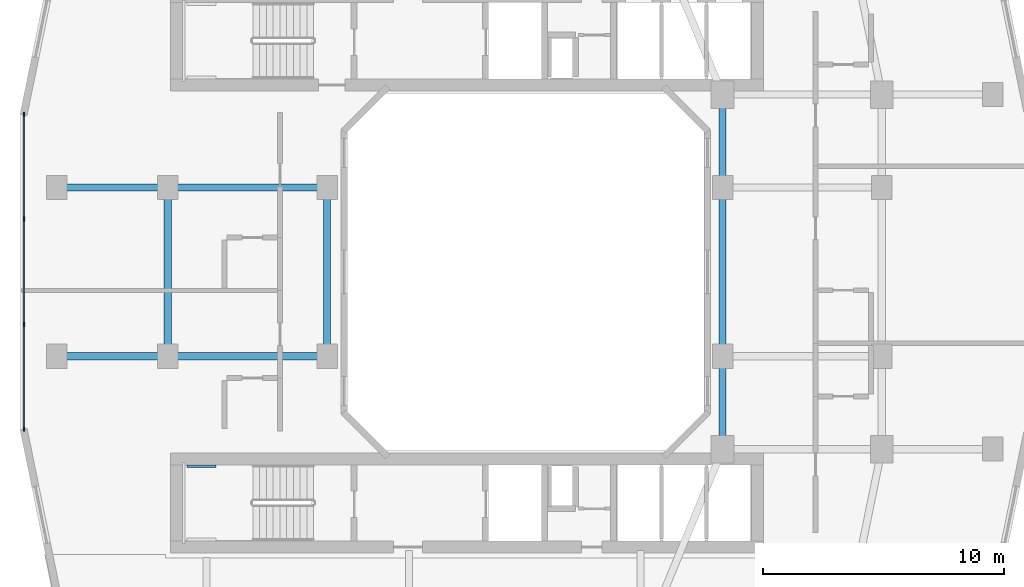
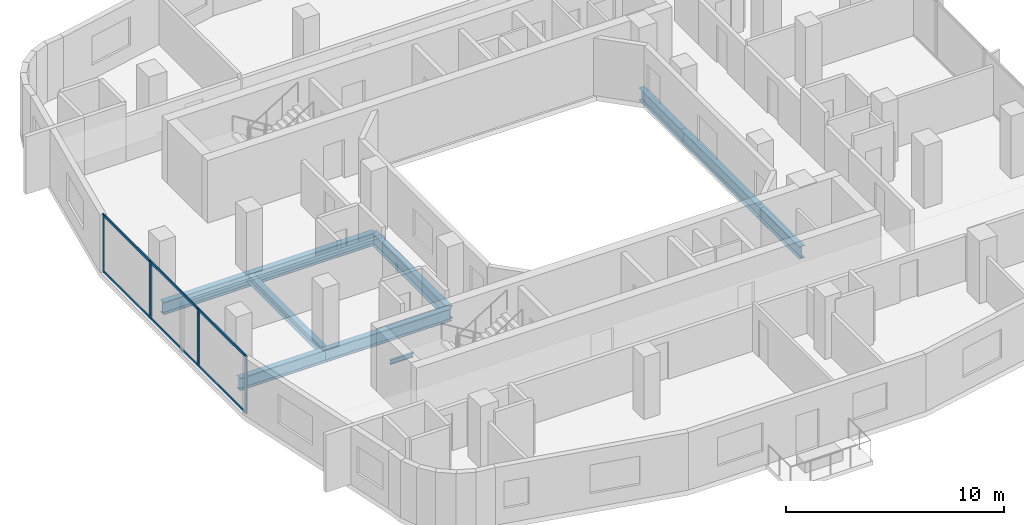
# One storey, part 2 of 24: 10 beams, 10 members, 1 element without a shape of its own.
"""IFC4 building model written with IfcOpenShell, lengths in metres."""

import ifcopenshell
import ifcopenshell.guid

model = None  # the IFC model being written
_history = None  # IfcOwnerHistory: only IFC2X3 demands one
_inside = {}  # id of a spatial element -> (the spatial element, [elements in it])
_under = {}  # id of a project, library or spatial element -> (it, [spatial elements below it])
_declared = {}  # id of a project -> (the project, [libraries it declares])
_typed = {}  # id of a type object -> (the type object, [elements of that type])
_made_of = {}  # id of a material, layer set ... -> (it, [elements and type objects made of it])


def new_model(schema):
    """Start an empty IFC model of exactly this schema.

    Asked for "IFC4X3", IfcOpenShell would pick the latest addendum, in which some entities
    have other attributes; the version numbers below select the first issue.
    IFC2X3 requires an IfcOwnerHistory on every rooted entity: one is made here for all.
    """
    global model, _history
    if schema == "IFC4X3":
        model = ifcopenshell.file(schema_version=(4, 3, 0, 0))
    else:
        model = ifcopenshell.file(schema=schema)
    _inside.clear()
    _under.clear()
    _declared.clear()
    _typed.clear()
    _made_of.clear()
    _history = None
    if model.schema == "IFC2X3":
        org = make("IfcOrganization", Name="unknown")
        user = make(
            "IfcPersonAndOrganization",
            ThePerson=make("IfcPerson", FamilyName="unknown"),
            TheOrganization=org,
        )
        app = make(
            "IfcApplication",
            ApplicationDeveloper=org,
            Version="unknown",
            ApplicationFullName="unknown",
            ApplicationIdentifier="unknown",
        )
        _history = make(
            "IfcOwnerHistory",
            OwningUser=user,
            OwningApplication=app,
            ChangeAction="ADDED",
            CreationDate=0,
        )
    return model


def make(cls, **values):
    """One entity of the class cls with the attributes given. An attribute that is None is left unset."""
    return model.create_entity(
        cls, **{name: value for name, value in values.items() if value is not None}
    )


def rooted(cls, **values):
    """An entity with a GlobalId (a new one), such as an element, a storey or a relation."""
    return make(cls, GlobalId=ifcopenshell.guid.new(), OwnerHistory=_history, **values)


def si_unit(unit_type, name, prefix=None):
    """IfcSIUnit, for example si_unit("LENGTHUNIT", "METRE", prefix="MILLI")."""
    return make("IfcSIUnit", UnitType=unit_type, Prefix=prefix, Name=name)


def derived_unit(unit_type, elements):
    """IfcDerivedUnit: a product of units, each with its exponent."""
    return make(
        "IfcDerivedUnit",
        Elements=[
            make("IfcDerivedUnitElement", Unit=unit, Exponent=power)
            for unit, power in elements
        ],
        UnitType=unit_type,
    )


def assignment(units):
    """IfcUnitAssignment: the units of a project."""
    return None if units is None else make("IfcUnitAssignment", Units=units)


def point(xyz):
    """IfcCartesianPoint."""
    return None if xyz is None else make("IfcCartesianPoint", Coordinates=xyz)


def direction(xyz):
    """IfcDirection."""
    return None if xyz is None else make("IfcDirection", DirectionRatios=xyz)


def frame(location, z_axis=None, x_axis=None):
    """IfcAxis2Placement3D, a coordinate frame: its origin and axes. An axis left out is left unset."""
    return make(
        "IfcAxis2Placement3D",
        Location=point(location),
        Axis=direction(z_axis),
        RefDirection=direction(x_axis),
    )


def frame_2d(location, x_axis=None):
    """IfcAxis2Placement2D, a coordinate frame in the plane: its origin and x axis."""
    return make(
        "IfcAxis2Placement2D", Location=point(location), RefDirection=direction(x_axis)
    )


def origin():
    """The frame at (0, 0, 0) with its axes left unset."""
    return frame((0.0, 0.0, 0.0))


def origin_2d():
    """The frame at (0, 0) in the plane with its x axis left unset."""
    return frame_2d((0.0, 0.0))


def place(relative_to, where):
    """IfcLocalPlacement: puts the frame where relative to a parent placement (None: the world)."""
    return make(
        "IfcLocalPlacement", PlacementRelTo=relative_to, RelativePlacement=where
    )


def context(
    kind, dimensions, precision=None, world=None, true_north=None, identifier=None
):
    """IfcGeometricRepresentationContext, for example the 3D "Model" context."""
    return make(
        "IfcGeometricRepresentationContext",
        ContextIdentifier=identifier,
        ContextType=kind,
        CoordinateSpaceDimension=dimensions,
        Precision=precision,
        WorldCoordinateSystem=world,
        TrueNorth=true_north,
    )


def subcontext(parent, identifier, kind, view, scale=None):
    """IfcGeometricRepresentationSubContext, for example "Body" below "Model"."""
    return make(
        "IfcGeometricRepresentationSubContext",
        ContextIdentifier=identifier,
        ContextType=kind,
        ParentContext=parent,
        TargetScale=scale,
        TargetView=view,
    )


def project(units=None, contexts=None):
    """IfcProject with its units and contexts."""
    return rooted(
        "IfcProject",
        Name="project",
        RepresentationContexts=contexts,
        UnitsInContext=assignment(units),
    )


def spatial(cls, under=None, at=None, **own):
    """A site, building, storey or space (cls), placed at a placement, below another one or the project."""
    s = rooted(cls, ObjectPlacement=at, **own)
    if under is not None:
        _under.setdefault(under.id(), (under, []))[1].append(s)
    return s


def profile(cls, at=None, kind="AREA", **sizes):
    """A parametric profile (cls). Its sizes go by their IFC names, for example OverallWidth=200.0."""
    return make(cls, ProfileType=kind, Position=at, **sizes)


def rectangle(**sizes):
    """IfcRectangleProfileDef."""
    return profile("IfcRectangleProfileDef", **sizes)


def i_section(**sizes):
    """IfcIShapeProfileDef."""
    return profile("IfcIShapeProfileDef", **sizes)


def extrude(swept, where, along, depth):
    """IfcExtrudedAreaSolid: the profile swept, set in the frame where, extruded along a direction by depth."""
    return make(
        "IfcExtrudedAreaSolid",
        SweptArea=swept,
        Position=where,
        ExtrudedDirection=direction(along),
        Depth=depth,
    )


def shape(context_of_items, identifier, shape_type, items):
    """IfcShapeRepresentation: the items that make up one representation, for example the "Body"."""
    return make(
        "IfcShapeRepresentation",
        ContextOfItems=context_of_items,
        RepresentationIdentifier=identifier,
        RepresentationType=shape_type,
        Items=items,
    )


def material(Name=None, Category=None):
    """IfcMaterial."""
    return make("IfcMaterial", Name=Name, Category=Category)


def layer(
    of_material, thickness, ventilated=None, Name=None, Category=None, Priority=None
):
    """IfcMaterialLayer: one layer of a wall or slab, of a material (None: an air gap)."""
    return make(
        "IfcMaterialLayer",
        Material=of_material,
        LayerThickness=thickness,
        IsVentilated=ventilated,
        Name=Name,
        Category=Category,
        Priority=Priority,
    )


def layer_set(layers, Name=None):
    """IfcMaterialLayerSet."""
    return make("IfcMaterialLayerSet", MaterialLayers=layers, LayerSetName=Name)


def material_profile(
    of_material, cross_section, Name=None, Category=None, Priority=None
):
    """IfcMaterialProfile: a cross section and its material."""
    return make(
        "IfcMaterialProfile",
        Name=Name,
        Material=of_material,
        Profile=cross_section,
        Priority=Priority,
        Category=Category,
    )


def profile_set(profiles, Name=None, composite=None):
    """IfcMaterialProfileSet."""
    return make(
        "IfcMaterialProfileSet",
        Name=Name,
        MaterialProfiles=profiles,
        CompositeProfile=composite,
    )


def made_of(thing, what):
    """Note that an element or type object is made of a material, layer set ...; save() writes the relation."""
    if what is not None:
        _made_of.setdefault(what.id(), (what, []))[1].append(thing)
    return thing


def type_object(cls, material=None, **own):
    """A type object (cls), such as IfcWallType, which elements share."""
    return made_of(rooted(cls, **own), material)


def element(
    cls,
    number,
    at=None,
    inside=None,
    cuts=None,
    type_object=None,
    material=None,
    context=None,
    identifier="Body",
    shape_type=None,
    held_by="IfcProductDefinitionShape",
    body=None,
    shapes=None,
    **own,
):
    """One element of the class cls, such as IfcWall. Its Tag is "e" and its number.

    at: its placement. inside: the storey or other place that contains it. cuts: it is an
    opening in that element (IfcRelVoidsElement). A single representation is given by context,
    identifier, shape_type and body (its items); several are given by shapes. held_by: the class
    of the entity that holds the representations. save() writes the other relations.
    """
    e = rooted(cls, Tag="e%d" % number, ObjectPlacement=at, **own)
    if body is not None:
        shapes = [shape(context, identifier, shape_type, body)]
    if shapes is not None:
        e.Representation = make(held_by, Representations=shapes)
    if inside is not None:
        _inside.setdefault(inside.id(), (inside, []))[1].append(e)
    if cuts is not None:
        rooted(
            "IfcRelVoidsElement", RelatingBuildingElement=cuts, RelatedOpeningElement=e
        )
    if type_object is not None:
        _typed.setdefault(type_object.id(), (type_object, []))[1].append(e)
    return made_of(e, material)


def aggregate(whole, parts):
    """IfcRelAggregates: a whole, such as a stair, and the parts it consists of."""
    return rooted("IfcRelAggregates", RelatingObject=whole, RelatedObjects=parts)


def save(model, path):
    """Write the relations noted so far, then the file.

    IfcRelAggregates (storeys below a building ...), IfcRelContainedInSpatialStructure (elements
    in a storey), IfcRelDefinesByType, IfcRelAssociatesMaterial and IfcRelDeclares: one each for
    every whole, place, type object, material and project.
    """
    for whole, parts in _under.values():
        aggregate(whole, parts)
    for where, things in _inside.values():
        rooted(
            "IfcRelContainedInSpatialStructure",
            RelatedElements=things,
            RelatingStructure=where,
        )
    for kind, things in _typed.values():
        rooted("IfcRelDefinesByType", RelatedObjects=things, RelatingType=kind)
    for what, things in _made_of.values():
        rooted("IfcRelAssociatesMaterial", RelatedObjects=things, RelatingMaterial=what)
    for by, libraries in _declared.values():
        rooted("IfcRelDeclares", RelatingContext=by, RelatedDefinitions=libraries)
    model.write(path)


model = new_model("IFC4")

# Units and contexts
model_context = context("Model", 3, precision=1e-05, world=origin(), true_north=direction((0.0, 1.0)))
body_context = subcontext(model_context, "Body", "Model", "MODEL_VIEW")
ifc_project = project(units=[si_unit("LENGTHUNIT", "METRE"), si_unit("AREAUNIT", "SQUARE_METRE"), si_unit("VOLUMEUNIT", "CUBIC_METRE"), si_unit("PLANEANGLEUNIT", "RADIAN"), si_unit("MASSUNIT", "GRAM", prefix="KILO"), derived_unit("THERMALTRANSMITTANCEUNIT", [(si_unit("POWERUNIT", "WATT"), 1), (si_unit("LENGTHUNIT", "METRE"), -2), (si_unit("THERMODYNAMICTEMPERATUREUNIT", "KELVIN"), -1)])], contexts=[model_context])

# Site, building, storey
site_placement = place(None, origin())
site = spatial("IfcSite", under=ifc_project, at=site_placement, CompositionType="ELEMENT")
building_placement = place(site_placement, origin())
building = spatial("IfcBuilding", under=site, at=building_placement, Name="Kivonza Crest Hotel", CompositionType="ELEMENT")
storey_placement = place(building_placement, frame((0.0, 0.0, 80.0)))
storey = spatial("IfcBuildingStorey", under=building, at=storey_placement, Name="L21", CompositionType="ELEMENT", Elevation=80.0)

# Beams
ifc_material_1 = material(Name="Steel S355", Category="steel")
ifc_material_profile_1 = material_profile(ifc_material_1, i_section(OverallWidth=0.300048828125, OverallDepth=0.449951171875, WebThickness=0.013916015625, FlangeThickness=0.02587890625, FilletRadius=0.027099609375, at=origin_2d()), Name="HEB 450")
ifc_profile_set_1 = profile_set([ifc_material_profile_1], Name="Steel S355")
beam_type_1 = type_object("IfcBeamType", Name="BM-HEB450", PredefinedType="SPANDREL", material=ifc_profile_set_1)
beam_1_placement = place(storey_placement, frame((6.199951171875, 28.5, -0.5048828125), z_axis=(0.0, -1.0, 0.0), x_axis=(1.0, 0.0, 0.0)))
element("IfcBeam", 1, at=beam_1_placement, inside=storey, type_object=beam_type_1, Name="Tower T1 L21 perimeter spandrel W2-W1", PredefinedType="SPANDREL", context=body_context, shape_type="SweptSolid", body=[
    extrude(i_section(OverallWidth=0.300048828125, OverallDepth=0.449951171875, WebThickness=0.013916015625, FlangeThickness=0.02587890625, FilletRadius=0.027099609375, at=origin_2d()), origin(), (0.0, 0.0, 1.0), 7.0),
])
ifc_material_profile_2 = material_profile(ifc_material_1, i_section(OverallWidth=0.300048828125, OverallDepth=0.699951171875, WebThickness=0.01708984375, FlangeThickness=0.031982421875, FilletRadius=0.027099609375, at=origin_2d()), Name="HEB 700")
ifc_profile_set_2 = profile_set([ifc_material_profile_2], Name="Steel S355")
beam_type_2 = type_object("IfcBeamType", Name="BM-HEB700", PredefinedType="BEAM", material=ifc_profile_set_2)
for number, where, z_axis, x_axis, name in (
    (2, (6.199951171875, 21.5, -0.6298828125), (1.0, 0.0, 0.0), (0.0, 1.0, 0.0), "Tower T1 L21 primary girder W1-WL1"),
    (3, (6.199951171875, 28.5, -0.6298828125), (1.0, 0.0, 0.0), (0.0, 1.0, 0.0), "Tower T1 L21 primary girder W2-WL2"),
):
    element("IfcBeam", number, at=place(storey_placement, frame(where, z_axis=z_axis, x_axis=x_axis)), inside=storey, type_object=beam_type_2, Name=name, PredefinedType="BEAM", context=body_context, shape_type="SweptSolid", body=[
        extrude(i_section(OverallWidth=0.300048828125, OverallDepth=0.699951171875, WebThickness=0.01708984375, FlangeThickness=0.031982421875, FilletRadius=0.027099609375, at=origin_2d()), origin(), (0.0, 0.0, 1.0), 6.60009765625),
    ])
for number, where, z_axis, x_axis, name in (
    (4, (12.800048828125, 21.5, -0.6298828125), (0.0, 1.0, 0.0), (-1.0, 0.0, 0.0), "Tower T1 L21 primary girder WL1-WL2"),
    (5, (29.199951171875, 21.5, -0.6298828125), (0.0, 1.0, 0.0), (-1.0, 0.0, 0.0), "Tower T1 L21 primary girder WR1-WR2"),
):
    element("IfcBeam", number, at=place(storey_placement, frame(where, z_axis=z_axis, x_axis=x_axis)), inside=storey, type_object=beam_type_2, Name=name, PredefinedType="BEAM", context=body_context, shape_type="SweptSolid", body=[
        extrude(i_section(OverallWidth=0.300048828125, OverallDepth=0.699951171875, WebThickness=0.01708984375, FlangeThickness=0.031982421875, FilletRadius=0.027099609375, at=origin_2d()), origin(), (0.0, 0.0, 1.0), 7.0),
    ])
for number, where, z_axis, x_axis, name in (
    (6, (29.199951171875, 17.64990234375, -0.6298828125), (0.0, 1.0, 0.0), (-1.0, 0.0, 0.0), "Tower T1 L21 primary girder TSE-WR1"),
    (7, (29.199951171875, 28.5, -0.6298828125), (0.0, 1.0, 0.0), (-1.0, 0.0, 0.0), "Tower T1 L21 primary girder WR2-TNE"),
):
    element("IfcBeam", number, at=place(storey_placement, frame(where, z_axis=z_axis, x_axis=x_axis)), inside=storey, type_object=beam_type_2, Name=name, PredefinedType="BEAM", context=body_context, shape_type="SweptSolid", body=[
        extrude(i_section(OverallWidth=0.300048828125, OverallDepth=0.699951171875, WebThickness=0.01708984375, FlangeThickness=0.031982421875, FilletRadius=0.027099609375, at=origin_2d()), origin(), (0.0, 0.0, 1.0), 3.85009765625),
    ])
for number, where, z_axis, x_axis, name in (
    (8, (1.60009765625, 21.5, -0.6298828125), (1.0, 0.0, 0.0), (0.0, 1.0, 0.0), "Tower T1 L21 outer bay girder ZW1"),
    (9, (1.60009765625, 28.5, -0.6298828125), (1.0, 0.0, 0.0), (0.0, 1.0, 0.0), "Tower T1 L21 outer bay girder ZW2"),
):
    element("IfcBeam", number, at=place(storey_placement, frame(where, z_axis=z_axis, x_axis=x_axis)), inside=storey, type_object=beam_type_2, Name=name, PredefinedType="BEAM", context=body_context, shape_type="SweptSolid", body=[
        extrude(i_section(OverallWidth=0.300048828125, OverallDepth=0.699951171875, WebThickness=0.01708984375, FlangeThickness=0.031982421875, FilletRadius=0.027099609375, at=origin_2d()), origin(), (0.0, 0.0, 1.0), 4.599853515625),
    ])
ifc_material_profile_3 = material_profile(ifc_material_1, i_section(OverallWidth=0.1201171875, OverallDepth=0.239990234375, WebThickness=0.006103515625, FlangeThickness=0.009765625, FilletRadius=0.014892578125, at=origin_2d()), Name="IPE 240")
ifc_profile_set_3 = profile_set([ifc_material_profile_3], Name="Steel S355")
beam_type_3 = type_object("IfcBeamType", Name="BM-LLDG-240", PredefinedType="BEAM", material=ifc_profile_set_3)
beam_2_placement = place(storey_placement, frame((6.989990234375, 16.93994140625, 1.429931640625), z_axis=(1.0, 0.0, 0.0), x_axis=(0.0, 1.0, 0.0)))
element("IfcBeam", 10, at=beam_2_placement, inside=storey, type_object=beam_type_3, Name="Stair ST-T1-S L21 North landing corbel", PredefinedType="BEAM", context=body_context, shape_type="SweptSolid", body=[
    extrude(i_section(OverallWidth=0.1201171875, OverallDepth=0.239990234375, WebThickness=0.006103515625, FlangeThickness=0.009765625, FilletRadius=0.014892578125, at=origin_2d()), origin(), (0.0, 0.0, 1.0), 1.2099609375),
])

# Curtain wall, members
ifc_material_2 = material(Name="Anodised bronze aluminium and low-E double glazing", Category="aluminium")
ifc_layer = layer(ifc_material_2, 0.179931640625)
ifc_layer_set = layer_set([ifc_layer], Name="Anodised bronze aluminium and low-E double glazing")
curtain_wall_type = type_object("IfcCurtainWallType", Name="CW-SYS-2", PredefinedType="NOTDEFINED", material=ifc_layer_set)
curtain_wall_placement = place(storey_placement, origin())
curtain_wall = element("IfcCurtainWall", 11, at=curtain_wall_placement, inside=storey, type_object=curtain_wall_type, Name="L21 unitised curtain wall CW-T1-L21-35", PredefinedType="NOTDEFINED")
ifc_material_3 = material(Name="Anodised bronze aluminium", Category="aluminium")
ifc_material_profile_4 = material_profile(ifc_material_3, rectangle(XDim=0.06494140625, YDim=0.179931640625, at=origin_2d()), Name="CW-M 65x180")
ifc_profile_set_4 = profile_set([ifc_material_profile_4], Name="Anodised bronze aluminium")
member_type_1 = type_object("IfcMemberType", Name="CW-MUL-65x180", PredefinedType="MULLION", material=ifc_profile_set_4)
member_1_placement = place(storey_placement, frame((0.239990234375, 31.527587890625, 0.0), z_axis=(0.0, 0.0, 1.0), x_axis=(1.0, 0.0, 0.0)))
member_1 = element("IfcMember", 12, at=member_1_placement, type_object=member_type_1, Name="CW-2 mullion 1", PredefinedType="MULLION", context=body_context, shape_type="SweptSolid", body=[
    extrude(rectangle(XDim=0.06494140625, YDim=0.179931640625, at=origin_2d()), origin(), (0.0, 0.0, 1.0), 3.219970703125),
])
member_2_placement = place(storey_placement, frame((0.239990234375, 27.186767578125, 0.0), z_axis=(0.0, 0.0, 1.0), x_axis=(1.0, 0.0, 0.0)))
member_2 = element("IfcMember", 13, at=member_2_placement, type_object=member_type_1, Name="CW-2 mullion 2", PredefinedType="MULLION", context=body_context, shape_type="SweptSolid", body=[
    extrude(rectangle(XDim=0.06494140625, YDim=0.179931640625, at=origin_2d()), origin(), (0.0, 0.0, 1.0), 3.219970703125),
])
member_3_placement = place(storey_placement, frame((0.239990234375, 22.813232421875, 0.0), z_axis=(0.0, 0.0, 1.0), x_axis=(1.0, 0.0, 0.0)))
member_3 = element("IfcMember", 14, at=member_3_placement, type_object=member_type_1, Name="CW-2 mullion 3", PredefinedType="MULLION", context=body_context, shape_type="SweptSolid", body=[
    extrude(rectangle(XDim=0.06494140625, YDim=0.179931640625, at=origin_2d()), origin(), (0.0, 0.0, 1.0), 3.219970703125),
])
member_4_placement = place(storey_placement, frame((0.239990234375, 18.472412109375, 0.0), z_axis=(0.0, 0.0, 1.0), x_axis=(1.0, 0.0, 0.0)))
member_4 = element("IfcMember", 15, at=member_4_placement, type_object=member_type_1, Name="CW-2 mullion 4", PredefinedType="MULLION", context=body_context, shape_type="SweptSolid", body=[
    extrude(rectangle(XDim=0.06494140625, YDim=0.179931640625, at=origin_2d()), origin(), (0.0, 0.0, 1.0), 3.219970703125),
])
ifc_material_profile_5 = material_profile(ifc_material_3, rectangle(XDim=0.06494140625, YDim=0.139892578125, at=origin_2d()), Name="CW-T 65x140")
ifc_profile_set_5 = profile_set([ifc_material_profile_5], Name="Anodised bronze aluminium")
member_type_2 = type_object("IfcMemberType", Name="CW-TRN-65x140", PredefinedType="USERDEFINED", material=ifc_profile_set_5)
member_5_placement = place(storey_placement, frame((0.239990234375, 31.4951171875, 0.032470703125), z_axis=(0.0, -1.0, 0.0), x_axis=(1.0, 0.0, 0.0)))
member_5 = element("IfcMember", 16, at=member_5_placement, type_object=member_type_2, Name="CW-2 transom 1.1", ObjectType="TRANSOM", PredefinedType="USERDEFINED", context=body_context, shape_type="SweptSolid", body=[
    extrude(rectangle(XDim=0.06494140625, YDim=0.139892578125, at=origin_2d()), origin(), (0.0, 0.0, 1.0), 4.27587890625),
])
member_6_placement = place(storey_placement, frame((0.239990234375, 31.4951171875, 3.1875), z_axis=(0.0, -1.0, 0.0), x_axis=(1.0, 0.0, 0.0)))
member_6 = element("IfcMember", 17, at=member_6_placement, type_object=member_type_2, Name="CW-2 transom 1.2", ObjectType="TRANSOM", PredefinedType="USERDEFINED", context=body_context, shape_type="SweptSolid", body=[
    extrude(rectangle(XDim=0.06494140625, YDim=0.139892578125, at=origin_2d()), origin(), (0.0, 0.0, 1.0), 4.27587890625),
])
member_7_placement = place(storey_placement, frame((0.239990234375, 27.154052734375, 0.032470703125), z_axis=(0.0, -1.0, 0.0), x_axis=(1.0, 0.0, 0.0)))
member_7 = element("IfcMember", 18, at=member_7_placement, type_object=member_type_2, Name="CW-2 transom 2.1", ObjectType="TRANSOM", PredefinedType="USERDEFINED", context=body_context, shape_type="SweptSolid", body=[
    extrude(rectangle(XDim=0.06494140625, YDim=0.139892578125, at=origin_2d()), origin(), (0.0, 0.0, 1.0), 4.30810546875),
])
member_8_placement = place(storey_placement, frame((0.239990234375, 27.154052734375, 3.1875), z_axis=(0.0, -1.0, 0.0), x_axis=(1.0, 0.0, 0.0)))
member_8 = element("IfcMember", 19, at=member_8_placement, type_object=member_type_2, Name="CW-2 transom 2.2", ObjectType="TRANSOM", PredefinedType="USERDEFINED", context=body_context, shape_type="SweptSolid", body=[
    extrude(rectangle(XDim=0.06494140625, YDim=0.139892578125, at=origin_2d()), origin(), (0.0, 0.0, 1.0), 4.30810546875),
])
member_9_placement = place(storey_placement, frame((0.239990234375, 22.78076171875, 0.032470703125), z_axis=(0.0, -1.0, 0.0), x_axis=(1.0, 0.0, 0.0)))
member_9 = element("IfcMember", 20, at=member_9_placement, type_object=member_type_2, Name="CW-2 transom 3.1", ObjectType="TRANSOM", PredefinedType="USERDEFINED", context=body_context, shape_type="SweptSolid", body=[
    extrude(rectangle(XDim=0.06494140625, YDim=0.139892578125, at=origin_2d()), origin(), (0.0, 0.0, 1.0), 4.27587890625),
])
member_10_placement = place(storey_placement, frame((0.239990234375, 22.78076171875, 3.1875), z_axis=(0.0, -1.0, 0.0), x_axis=(1.0, 0.0, 0.0)))
member_10 = element("IfcMember", 21, at=member_10_placement, type_object=member_type_2, Name="CW-2 transom 3.2", ObjectType="TRANSOM", PredefinedType="USERDEFINED", context=body_context, shape_type="SweptSolid", body=[
    extrude(rectangle(XDim=0.06494140625, YDim=0.139892578125, at=origin_2d()), origin(), (0.0, 0.0, 1.0), 4.27587890625),
])
aggregate(curtain_wall, [member_1, member_2, member_3, member_4, member_5, member_6, member_7, member_8, member_9, member_10])

save(model, "model.ifc")
